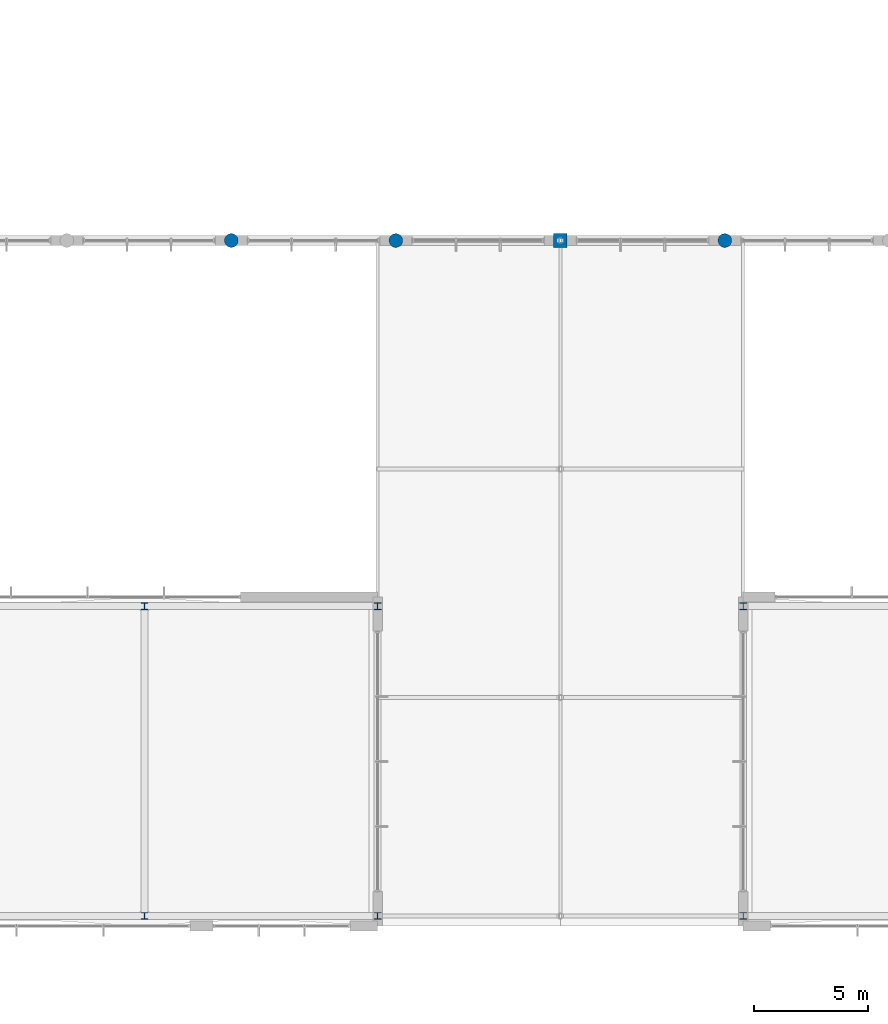
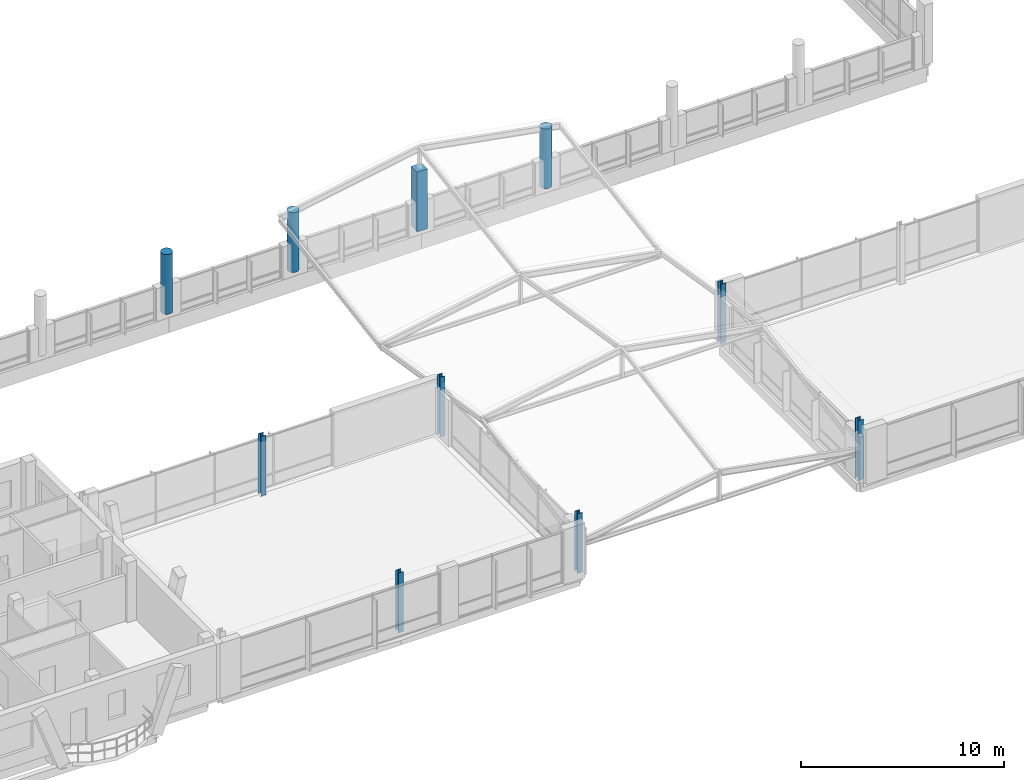
# One storey, part 4 of 189: 10 columns.
"""IFC4 building model written with IfcOpenShell, lengths in metres."""

from ifc_helpers import new_model, si_unit, direction, frame, origin, origin_2d, place, context, subcontext, project, spatial, rectangle, circle, i_section, extrude, material, material_profile, profile_set, type_object, element, save


model = new_model("IFC4")

# Units and contexts
model_context = context("Model", 3, precision=1e-05, world=origin(), true_north=direction((0.0, 1.0)))
body_context = subcontext(model_context, "Body", "Model", "MODEL_VIEW")
ifc_project = project(units=[si_unit("LENGTHUNIT", "METRE"), si_unit("AREAUNIT", "SQUARE_METRE"), si_unit("VOLUMEUNIT", "CUBIC_METRE"), si_unit("PLANEANGLEUNIT", "RADIAN"), si_unit("MASSUNIT", "GRAM", prefix="KILO")], contexts=[model_context])

# Site, building, storey
site_placement = place(None, origin())
site = spatial("IfcSite", under=ifc_project, at=site_placement, CompositionType="ELEMENT")
building_placement = place(site_placement, origin())
building = spatial("IfcBuilding", under=site, at=building_placement, Name="Zavelmont Quarter", CompositionType="ELEMENT")
storey_placement = place(building_placement, frame((0.0, 0.0, 4.39990234375)))
storey = spatial("IfcBuildingStorey", under=building, at=storey_placement, Name="L01", CompositionType="ELEMENT", Elevation=4.39990234375)

# Columns
ifc_material_1 = material(Name="Concrete C40/50", Category="concrete")
ifc_material_profile_1 = material_profile(ifc_material_1, rectangle(XDim=0.60009765625, YDim=0.60009765625, at=origin_2d()), Name="RC600X600")
ifc_profile_set_1 = profile_set([ifc_material_profile_1], Name="Concrete C40/50")
column_type_1 = type_object("IfcColumnType", Name="CL01", PredefinedType="COLUMN", material=ifc_profile_set_1)
column_placement = place(storey_placement, frame((84.0, 30.0, 0.0), z_axis=(0.0, 0.0, 1.0), x_axis=(1.0, 0.0, 0.0)))
element("IfcColumn", 1, at=column_placement, inside=storey, type_object=column_type_1, Name="L01 column CL01 at 13/F", PredefinedType="COLUMN", context=body_context, shape_type="SweptSolid", body=[
    extrude(rectangle(XDim=0.60009765625, YDim=0.60009765625, at=origin_2d()), origin(), (0.0, 0.0, 1.0), 3.60009765625),
])
ifc_material_profile_2 = material_profile(ifc_material_1, circle(Radius=0.300048828125, at=origin_2d()), Name="CHD600")
ifc_profile_set_2 = profile_set([ifc_material_profile_2], Name="Concrete C40/50")
column_type_2 = type_object("IfcColumnType", Name="CL08", PredefinedType="COLUMN", material=ifc_profile_set_2)
for number, where, z_axis, x_axis, name in (
    (2, (69.60009765625, 30.0, 0.0), (0.0, 0.0, 1.0), (1.0, 0.0, 0.0), "L01 column CL08 at 11/F"),
    (3, (76.800048828125, 30.0, 0.0), (0.0, 0.0, 1.0), (1.0, 0.0, 0.0), "L01 column CL08 at 12/F"),
    (4, (91.199951171875, 30.0, 0.0), (0.0, 0.0, 1.0), (1.0, 0.0, 0.0), "L01 column CL08 at 14/F"),
):
    element("IfcColumn", number, at=place(storey_placement, frame(where, z_axis=z_axis, x_axis=x_axis)), inside=storey, type_object=column_type_2, Name=name, PredefinedType="COLUMN", context=body_context, shape_type="SweptSolid", body=[
        extrude(circle(Radius=0.300048828125, at=origin_2d()), origin(), (0.0, 0.0, 1.0), 3.60009765625),
    ])
ifc_material_2 = material(Name="Steel S355", Category="steel")
ifc_material_profile_3 = material_profile(ifc_material_2, i_section(OverallWidth=0.300048828125, OverallDepth=0.300048828125, WebThickness=0.010986328125, FlangeThickness=0.01904296875, at=origin_2d()), Name="HEB 300")
ifc_profile_set_3 = profile_set([ifc_material_profile_3], Name="Steel S355")
column_type_3 = type_object("IfcColumnType", Name="CL10", PredefinedType="COLUMN", material=ifc_profile_set_3)
for number, where, z_axis, x_axis, name in (
    (5, (65.800048828125, 0.43994140625, 0.0), (0.0, 0.0, 1.0), (1.0, 0.0, 0.0), "L01 column CL10 at 10/A"),
    (6, (65.800048828125, 14.0, 0.0), (0.0, 0.0, 1.0), (1.0, 0.0, 0.0), "L01 column CL10 at 10/C"),
    (7, (76.0, 0.43994140625, 0.0), (0.0, 0.0, 1.0), (1.0, 0.0, 0.0), "L01 column CL10 at 12/A"),
    (8, (76.0, 14.0, 0.0), (0.0, 0.0, 1.0), (1.0, 0.0, 0.0), "L01 column CL10 at 12/C"),
    (9, (92.0, 0.43994140625, 0.0), (0.0, 0.0, 1.0), (1.0, 0.0, 0.0), "L01 column CL10 at 14/A"),
    (10, (92.0, 14.0, 0.0), (0.0, 0.0, 1.0), (1.0, 0.0, 0.0), "L01 column CL10 at 14/C"),
):
    element("IfcColumn", number, at=place(storey_placement, frame(where, z_axis=z_axis, x_axis=x_axis)), inside=storey, type_object=column_type_3, Name=name, PredefinedType="COLUMN", context=body_context, shape_type="SweptSolid", body=[
        extrude(i_section(OverallWidth=0.300048828125, OverallDepth=0.300048828125, WebThickness=0.010986328125, FlangeThickness=0.01904296875, at=origin_2d()), origin(), (0.0, 0.0, 1.0), 3.60009765625),
    ])

save(model, "model.ifc")
